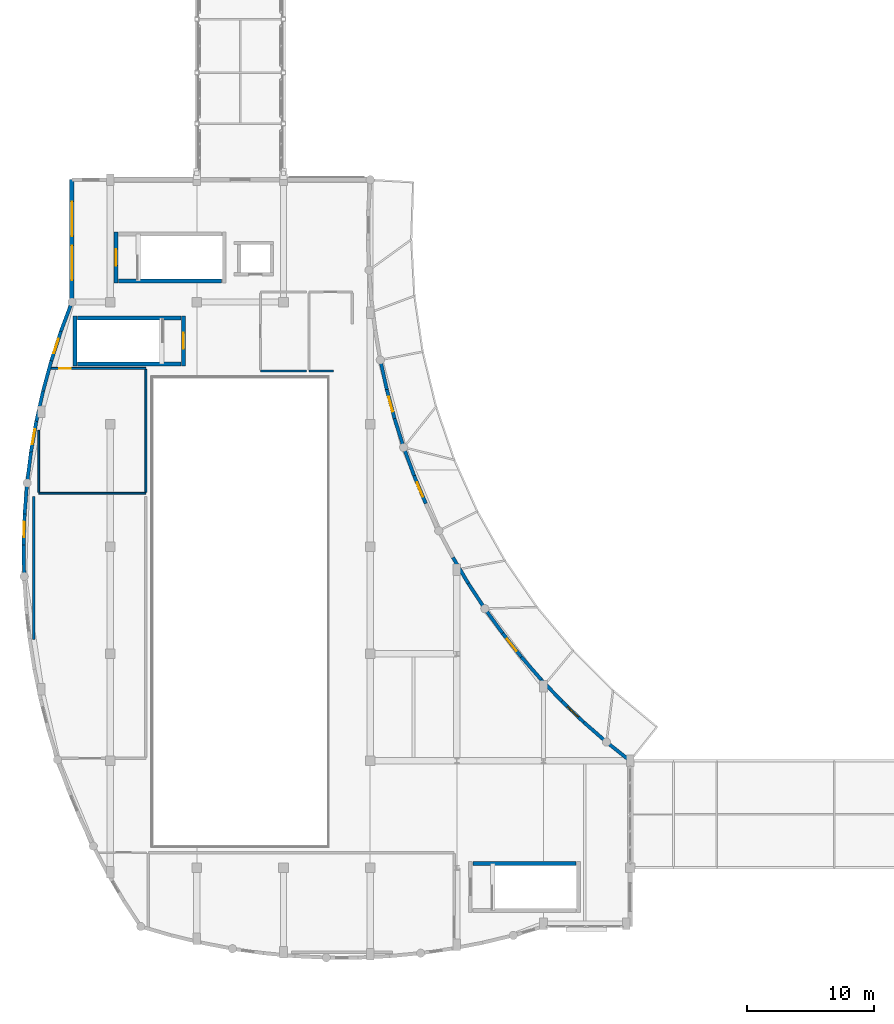
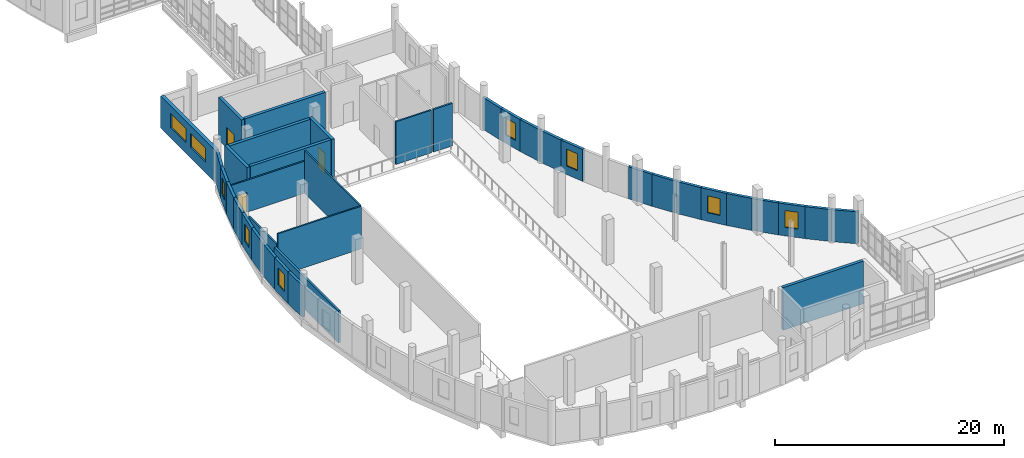
# One storey, part 82 of 106: 38 walls, 9 windows, 3 doors, 12 openings.
"""IFC4 building model written with IfcOpenShell, lengths in metres."""

from ifc_helpers import new_model, si_unit, direction, frame, frame_2d, origin, place, context, subcontext, project, spatial, rectangle, extrude, material, layer, layer_set, type_object, element, fill, save


model = new_model("IFC4")

# Units and contexts
model_context = context("Model", 3, precision=1e-05, world=origin(), true_north=direction((0.0, 1.0)))
body_context = subcontext(model_context, "Body", "Model", "MODEL_VIEW")
ifc_project = project(units=[si_unit("LENGTHUNIT", "METRE"), si_unit("AREAUNIT", "SQUARE_METRE"), si_unit("VOLUMEUNIT", "CUBIC_METRE"), si_unit("PLANEANGLEUNIT", "RADIAN"), si_unit("MASSUNIT", "GRAM", prefix="KILO")], contexts=[model_context])

# Site, building, storey
site_placement = place(None, origin())
site = spatial("IfcSite", under=ifc_project, at=site_placement, CompositionType="ELEMENT")
building_placement = place(site_placement, origin())
building = spatial("IfcBuilding", under=site, at=building_placement, Name="Kisaragi Civic Commons", CompositionType="ELEMENT")
storey_placement = place(building_placement, frame((0.0, 0.0, 4.800048828125)))
storey = spatial("IfcBuildingStorey", under=building, at=storey_placement, Name="L01", CompositionType="ELEMENT", Elevation=4.800048828125)

# Wall, openings, windows
ifc_material_1 = material(Name="Insulated Tokoname terracotta cavity wall", Category="masonry")
ifc_layer_1 = layer(ifc_material_1, 0.35009765625, Name="Insulated Tokoname terracotta cavity wall", Category="masonry")
ifc_layer_set_1 = layer_set([ifc_layer_1], Name="Insulated Tokoname terracotta cavity wall")
wall_type_1 = type_object("IfcWallType", Name="EW-02", PredefinedType="STANDARD", material=ifc_layer_set_1)
wall_1_placement = place(storey_placement, frame((3.800048828125, 52.800048828125, 0.0), z_axis=(0.0, 0.0, 1.0), x_axis=(0.0, 1.0, 0.0)))
wall_1 = element("IfcWall", 1, at=wall_1_placement, inside=storey, type_object=wall_type_1, Name="V1 L01 exterior terracotta wall EW-02 122", PredefinedType="STANDARD", context=body_context, shape_type="SweptSolid", body=[
    extrude(rectangle(XDim=9.599853515625, YDim=0.35009765625, at=frame_2d((4.7998046875, 0.0))), origin(), (0.0, 0.0, 1.0), 3.405029296875),
])
opening_1_placement = place(wall_1_placement, frame((1.721923828125, 0.0, 1.10009765625)))
opening_1 = element("IfcOpeningElement", 2, at=opening_1_placement, cuts=wall_1, Name="Opening W-07", PredefinedType="OPENING", context=body_context, shape_type="SweptSolid", body=[
    extrude(rectangle(XDim=2.699951171875, YDim=1.5, at=frame_2d((1.35009765625, 0.75))), frame((0.0, 0.18505859375, 0.0), z_axis=(0.0, -1.0, 0.0), x_axis=(1.0, 0.0, 0.0)), (0.0, 0.0, 1.0), 0.3701171875),
])
opening_2_placement = place(wall_1_placement, frame((5.177978515625, 0.0, 1.10009765625)))
opening_2 = element("IfcOpeningElement", 3, at=opening_2_placement, cuts=wall_1, Name="Opening W-07", PredefinedType="OPENING", context=body_context, shape_type="SweptSolid", body=[
    extrude(rectangle(XDim=2.699951171875, YDim=1.5, at=frame_2d((1.35009765625, 0.75))), frame((0.0, 0.18505859375, 0.0), z_axis=(0.0, -1.0, 0.0), x_axis=(1.0, 0.0, 0.0)), (0.0, 0.0, 1.0), 0.3701171875),
])
ifc_material_2 = material(Name="Thermally broken aluminium frame and low-E argon double glazing", Category="aluminium")
window_type_1 = type_object("IfcWindowType", Name="W-07", PartitioningType="SINGLE_PANEL", PredefinedType="WINDOW", material=ifc_material_2)
window_1_placement = place(opening_1_placement, origin())
window_1 = element("IfcWindow", 4, at=window_1_placement, inside=storey, type_object=window_type_1, Name="V1 L01 window W-07 36", OverallHeight=1.5, OverallWidth=2.699951171875, PartitioningType="SINGLE_PANEL", PredefinedType="WINDOW", context=body_context, shape_type="SweptSolid", body=[
    extrude(rectangle(XDim=2.699951171875, YDim=1.5, at=frame_2d((1.35009765625, 0.75))), frame((0.0, 0.030029296875, 0.0), z_axis=(0.0, -1.0, 0.0), x_axis=(1.0, 0.0, 0.0)), (0.0, 0.0, 1.0), 0.06005859375),
])
fill(opening_1, window_1)
window_2_placement = place(opening_2_placement, origin())
window_2 = element("IfcWindow", 5, at=window_2_placement, inside=storey, type_object=window_type_1, Name="V1 L01 window W-07 37", OverallHeight=1.5, OverallWidth=2.699951171875, PartitioningType="SINGLE_PANEL", PredefinedType="WINDOW", context=body_context, shape_type="SweptSolid", body=[
    extrude(rectangle(XDim=2.699951171875, YDim=1.5, at=frame_2d((1.35009765625, 0.75))), frame((0.0, 0.030029296875, 0.0), z_axis=(0.0, -1.0, 0.0), x_axis=(1.0, 0.0, 0.0)), (0.0, 0.0, 1.0), 0.06005859375),
])
fill(opening_2, window_2)

# Wall
ifc_layer_2 = layer(ifc_material_1, 0.26806640625, Name="Insulated Tokoname terracotta cavity wall", Category="masonry")
ifc_layer_set_2 = layer_set([ifc_layer_2], Name="Insulated Tokoname terracotta cavity wall")
wall_type_2 = type_object("IfcWallType", Name="EW-04", PredefinedType="STANDARD", material=ifc_layer_set_2)
wall_2_placement = place(storey_placement, frame((27.996826171875, 48.25537109375, 0.0), z_axis=(0.0, 0.0, 1.0), x_axis=(0.214004297627, -0.97683271884, 0.0)))
element("IfcWall", 6, at=wall_2_placement, inside=storey, type_object=wall_type_2, Name="V1 L01 exterior terracotta wall EW-04 71", PredefinedType="STANDARD", context=body_context, shape_type="SweptSolid", body=[
    extrude(rectangle(XDim=2.368408203125, YDim=0.26806640625, at=frame_2d((1.18408203125, 0.0))), origin(), (0.0, 0.0, 1.0), 3.405029296875),
])

# Wall, opening, window
wall_3_placement = place(storey_placement, frame((28.503662109375, 45.94189453125, 0.0), z_axis=(0.0, 0.0, 1.0), x_axis=(0.258316996005, -0.966060210119, 0.0)))
wall_3 = element("IfcWall", 7, at=wall_3_placement, inside=storey, type_object=wall_type_2, Name="V1 L01 exterior terracotta wall EW-04 72", PredefinedType="STANDARD", context=body_context, shape_type="SweptSolid", body=[
    extrude(rectangle(XDim=2.368408203125, YDim=0.26806640625, at=frame_2d((1.18408203125, 0.0))), origin(), (0.0, 0.0, 1.0), 3.405029296875),
])
opening_3_placement = place(wall_3_placement, frame((0.584228515625, 0.0, 0.89990234375)))
opening_3 = element("IfcOpeningElement", 8, at=opening_3_placement, cuts=wall_3, Name="Opening W-05", PredefinedType="OPENING", context=body_context, shape_type="SweptSolid", body=[
    extrude(rectangle(XDim=1.199951171875, YDim=1.800048828125, at=frame_2d((0.60009765625, 0.89990234375))), frame((0.0, 0.14404296875, 0.0), z_axis=(0.0, -1.0, 0.0), x_axis=(1.0, 0.0, 0.0)), (0.0, 0.0, 1.0), 0.2880859375),
])
window_type_2 = type_object("IfcWindowType", Name="W-05", PartitioningType="SINGLE_PANEL", PredefinedType="WINDOW", material=ifc_material_2)
window_3_placement = place(opening_3_placement, origin())
window_3 = element("IfcWindow", 9, at=window_3_placement, inside=storey, type_object=window_type_2, Name="V1 L01 window W-05 20", OverallHeight=1.800048828125, OverallWidth=1.199951171875, PartitioningType="SINGLE_PANEL", PredefinedType="WINDOW", context=body_context, shape_type="SweptSolid", body=[
    extrude(rectangle(XDim=1.199951171875, YDim=1.800048828125, at=frame_2d((0.60009765625, 0.89990234375))), frame((0.0, 0.030029296875, 0.0), z_axis=(0.0, -1.0, 0.0), x_axis=(1.0, 0.0, 0.0)), (0.0, 0.0, 1.0), 0.06005859375),
])
fill(opening_3, window_3)

# Walls
for number, where, z_axis, x_axis, name in (
    (10, (29.115478515625, 43.65380859375, 0.0), (0.0, 0.0, 1.0), (0.301935426288, -0.953328379076, 0.0), "V1 L01 exterior terracotta wall EW-04 73"),
    (11, (29.83056640625, 41.39599609375, 0.0), (0.0, 0.0, 1.0), (0.345117725034, -0.938559404549, 0.0), "V1 L01 exterior terracotta wall EW-04 74"),
):
    element("IfcWall", number, at=place(storey_placement, frame(where, z_axis=z_axis, x_axis=x_axis)), inside=storey, type_object=wall_type_2, Name=name, PredefinedType="STANDARD", context=body_context, shape_type="SweptSolid", body=[
        extrude(rectangle(XDim=2.368408203125, YDim=0.26806640625, at=frame_2d((1.18408203125, 0.0))), origin(), (0.0, 0.0, 1.0), 3.405029296875),
    ])

# Wall, opening, window
wall_4_placement = place(storey_placement, frame((30.64794921875, 39.173095703125, 0.0), z_axis=(0.0, 0.0, 1.0), x_axis=(0.387526916132, -0.921858388948, 0.0)))
wall_4 = element("IfcWall", 12, at=wall_4_placement, inside=storey, type_object=wall_type_2, Name="V1 L01 exterior terracotta wall EW-04 75", PredefinedType="STANDARD", context=body_context, shape_type="SweptSolid", body=[
    extrude(rectangle(XDim=2.3681640625, YDim=0.26806640625, at=frame_2d((1.18408203125, 0.0))), origin(), (0.0, 0.0, 1.0), 3.405029296875),
])
opening_4_placement = place(wall_4_placement, frame((0.584228515625, 0.0, 0.89990234375)))
opening_4 = element("IfcOpeningElement", 13, at=opening_4_placement, cuts=wall_4, Name="Opening W-05", PredefinedType="OPENING", context=body_context, shape_type="SweptSolid", body=[
    extrude(rectangle(XDim=1.199951171875, YDim=1.800048828125, at=frame_2d((0.60009765625, 0.89990234375))), frame((0.0, 0.14404296875, 0.0), z_axis=(0.0, -1.0, 0.0), x_axis=(1.0, 0.0, 0.0)), (0.0, 0.0, 1.0), 0.2880859375),
])
window_4_placement = place(opening_4_placement, origin())
window_4 = element("IfcWindow", 14, at=window_4_placement, inside=storey, type_object=window_type_2, Name="V1 L01 window W-05 21", OverallHeight=1.800048828125, OverallWidth=1.199951171875, PartitioningType="SINGLE_PANEL", PredefinedType="WINDOW", context=body_context, shape_type="SweptSolid", body=[
    extrude(rectangle(XDim=1.199951171875, YDim=1.800048828125, at=frame_2d((0.60009765625, 0.89990234375))), frame((0.0, 0.030029296875, 0.0), z_axis=(0.0, -1.0, 0.0), x_axis=(1.0, 0.0, 0.0)), (0.0, 0.0, 1.0), 0.06005859375),
])
fill(opening_4, window_4)

# Walls
wall_5_placement = place(storey_placement, frame((33.694091796875, 32.759765625, 0.0), z_axis=(0.0, 0.0, 1.0), x_axis=(0.509423716395, -0.860515820409, 0.0)))
element("IfcWall", 15, at=wall_5_placement, inside=storey, type_object=wall_type_2, Name="V1 L01 exterior terracotta wall EW-04 78", PredefinedType="STANDARD", context=body_context, shape_type="SweptSolid", body=[
    extrude(rectangle(XDim=2.368408203125, YDim=0.26806640625, at=frame_2d((1.18408203125, 0.0))), origin(), (0.0, 0.0, 1.0), 3.405029296875),
])
wall_6_placement = place(storey_placement, frame((34.900634765625, 30.7216796875, 0.0), z_axis=(0.0, 0.0, 1.0), x_axis=(0.54814066554, -0.83638616128, 0.0)))
element("IfcWall", 16, at=wall_6_placement, inside=storey, type_object=wall_type_2, Name="V1 L01 exterior terracotta wall EW-04 79", PredefinedType="STANDARD", context=body_context, shape_type="SweptSolid", body=[
    extrude(rectangle(XDim=2.3681640625, YDim=0.26806640625, at=frame_2d((1.18408203125, 0.0))), origin(), (0.0, 0.0, 1.0), 3.405029296875),
])
wall_7_placement = place(storey_placement, frame((36.19873046875, 28.740966796875, 0.0), z_axis=(0.0, 0.0, 1.0), x_axis=(0.585588400882, -0.810608552109, 0.0)))
element("IfcWall", 17, at=wall_7_placement, inside=storey, type_object=wall_type_2, Name="V1 L01 exterior terracotta wall EW-04 80", PredefinedType="STANDARD", context=body_context, shape_type="SweptSolid", body=[
    extrude(rectangle(XDim=2.368408203125, YDim=0.26806640625, at=frame_2d((1.18408203125, 0.0))), origin(), (0.0, 0.0, 1.0), 3.405029296875),
])

# Wall, opening, window
wall_8_placement = place(storey_placement, frame((37.585693359375, 26.821044921875, 0.0), z_axis=(0.0, 0.0, 1.0), x_axis=(0.621937925109, -0.783066547179, 0.0)))
wall_8 = element("IfcWall", 18, at=wall_8_placement, inside=storey, type_object=wall_type_2, Name="V1 L01 exterior terracotta wall EW-04 81", PredefinedType="STANDARD", context=body_context, shape_type="SweptSolid", body=[
    extrude(rectangle(XDim=2.3681640625, YDim=0.26806640625, at=frame_2d((1.18408203125, 0.0))), origin(), (0.0, 0.0, 1.0), 3.405029296875),
])
opening_5_placement = place(wall_8_placement, frame((0.584228515625, 0.0, 0.89990234375)))
opening_5 = element("IfcOpeningElement", 19, at=opening_5_placement, cuts=wall_8, Name="Opening W-05", PredefinedType="OPENING", context=body_context, shape_type="SweptSolid", body=[
    extrude(rectangle(XDim=1.199951171875, YDim=1.800048828125, at=frame_2d((0.60009765625, 0.89990234375))), frame((0.0, 0.14404296875, 0.0), z_axis=(0.0, -1.0, 0.0), x_axis=(1.0, 0.0, 0.0)), (0.0, 0.0, 1.0), 0.2880859375),
])
window_5_placement = place(opening_5_placement, origin())
window_5 = element("IfcWindow", 20, at=window_5_placement, inside=storey, type_object=window_type_2, Name="V1 L01 window W-05 22", OverallHeight=1.800048828125, OverallWidth=1.199951171875, PartitioningType="SINGLE_PANEL", PredefinedType="WINDOW", context=body_context, shape_type="SweptSolid", body=[
    extrude(rectangle(XDim=1.199951171875, YDim=1.800048828125, at=frame_2d((0.60009765625, 0.89990234375))), frame((0.0, 0.030029296875, 0.0), z_axis=(0.0, -1.0, 0.0), x_axis=(1.0, 0.0, 0.0)), (0.0, 0.0, 1.0), 0.06005859375),
])
fill(opening_5, window_5)

# Walls
for number, where, z_axis, x_axis, name in (
    (21, (39.05859375, 24.966552734375, 0.0), (0.0, 0.0, 1.0), (0.65694145238, -0.753941594651, 0.0), "V1 L01 exterior terracotta wall EW-04 82"),
    (22, (40.614501953125, 23.180908203125, 0.0), (0.0, 0.0, 1.0), (0.690578715077, -0.723257242123, 0.0), "V1 L01 exterior terracotta wall EW-04 83"),
):
    element("IfcWall", number, at=place(storey_placement, frame(where, z_axis=z_axis, x_axis=x_axis)), inside=storey, type_object=wall_type_2, Name=name, PredefinedType="STANDARD", context=body_context, shape_type="SweptSolid", body=[
        extrude(rectangle(XDim=2.368408203125, YDim=0.26806640625, at=frame_2d((1.18408203125, 0.0))), origin(), (0.0, 0.0, 1.0), 3.405029296875),
    ])

# Wall, opening, window
wall_9_placement = place(storey_placement, frame((42.25, 21.468017578125, 0.0), z_axis=(0.0, 0.0, 1.0), x_axis=(0.722803022189, -0.691054115909, 0.0)))
wall_9 = element("IfcWall", 23, at=wall_9_placement, inside=storey, type_object=wall_type_2, Name="V1 L01 exterior terracotta wall EW-04 84", PredefinedType="STANDARD", context=body_context, shape_type="SweptSolid", body=[
    extrude(rectangle(XDim=2.368408203125, YDim=0.26806640625, at=frame_2d((1.18408203125, 0.0))), origin(), (0.0, 0.0, 1.0), 3.405029296875),
])
opening_6_placement = place(wall_9_placement, frame((0.584228515625, 0.0, 0.89990234375)))
opening_6 = element("IfcOpeningElement", 24, at=opening_6_placement, cuts=wall_9, Name="Opening W-05", PredefinedType="OPENING", context=body_context, shape_type="SweptSolid", body=[
    extrude(rectangle(XDim=1.199951171875, YDim=1.800048828125, at=frame_2d((0.60009765625, 0.89990234375))), frame((0.0, 0.14404296875, 0.0), z_axis=(0.0, -1.0, 0.0), x_axis=(1.0, 0.0, 0.0)), (0.0, 0.0, 1.0), 0.2880859375),
])
window_6_placement = place(opening_6_placement, origin())
window_6 = element("IfcWindow", 25, at=window_6_placement, inside=storey, type_object=window_type_2, Name="V1 L01 window W-05 23", OverallHeight=1.800048828125, OverallWidth=1.199951171875, PartitioningType="SINGLE_PANEL", PredefinedType="WINDOW", context=body_context, shape_type="SweptSolid", body=[
    extrude(rectangle(XDim=1.199951171875, YDim=1.800048828125, at=frame_2d((0.60009765625, 0.89990234375))), frame((0.0, 0.030029296875, 0.0), z_axis=(0.0, -1.0, 0.0), x_axis=(1.0, 0.0, 0.0)), (0.0, 0.0, 1.0), 0.06005859375),
])
fill(opening_6, window_6)

# Walls
for number, where, z_axis, x_axis, name in (
    (26, (43.9619140625, 19.831298828125, 0.0), (0.0, 0.0, 1.0), (0.753463654821, -0.657489559509, 0.0), "V1 L01 exterior terracotta wall EW-04 85"),
    (27, (45.746337890625, 18.274169921875, 0.0), (0.0, 0.0, 1.0), (0.782695778101, -0.622404465715, 0.0), "V1 L01 exterior terracotta wall EW-04 86"),
):
    element("IfcWall", number, at=place(storey_placement, frame(where, z_axis=z_axis, x_axis=x_axis)), inside=storey, type_object=wall_type_2, Name=name, PredefinedType="STANDARD", context=body_context, shape_type="SweptSolid", body=[
        extrude(rectangle(XDim=2.368408203125, YDim=0.26806640625, at=frame_2d((1.18408203125, 0.0))), origin(), (0.0, 0.0, 1.0), 3.405029296875),
    ])
wall_10_placement = place(storey_placement, frame((0.051513671875, 31.277099609375, 0.0), z_axis=(0.0, 0.0, 1.0), x_axis=(-0.015674559362, 0.999877146548, 0.0)))
element("IfcWall", 28, at=wall_10_placement, inside=storey, type_object=wall_type_2, Name="V1 L01 exterior terracotta wall EW-04 113", PredefinedType="STANDARD", context=body_context, shape_type="SweptSolid", body=[
    extrude(rectangle(XDim=2.4453125, YDim=0.26806640625, at=frame_2d((1.22265625, 0.0))), origin(), (0.0, 0.0, 1.0), 3.405029296875),
])

# Wall, opening, window
wall_11_placement = place(storey_placement, frame((0.01318359375, 33.72216796875, 0.0), z_axis=(0.0, 0.0, 1.0), x_axis=(0.031346952552, 0.999508563528, 0.0)))
wall_11 = element("IfcWall", 29, at=wall_11_placement, inside=storey, type_object=wall_type_2, Name="V1 L01 exterior terracotta wall EW-04 114", PredefinedType="STANDARD", context=body_context, shape_type="SweptSolid", body=[
    extrude(rectangle(XDim=2.445556640625, YDim=0.26806640625, at=frame_2d((1.22265625, 0.0))), origin(), (0.0, 0.0, 1.0), 3.405029296875),
])
opening_7_placement = place(wall_11_placement, frame((0.622802734375, 0.0, 0.89990234375)))
opening_7 = element("IfcOpeningElement", 30, at=opening_7_placement, cuts=wall_11, Name="Opening W-05", PredefinedType="OPENING", context=body_context, shape_type="SweptSolid", body=[
    extrude(rectangle(XDim=1.199951171875, YDim=1.800048828125, at=frame_2d((0.60009765625, 0.89990234375))), frame((0.0, 0.14404296875, 0.0), z_axis=(0.0, -1.0, 0.0), x_axis=(1.0, 0.0, 0.0)), (0.0, 0.0, 1.0), 0.2880859375),
])
window_7_placement = place(opening_7_placement, origin())
window_7 = element("IfcWindow", 31, at=window_7_placement, inside=storey, type_object=window_type_2, Name="V1 L01 window W-05 33", OverallHeight=1.800048828125, OverallWidth=1.199951171875, PartitioningType="SINGLE_PANEL", PredefinedType="WINDOW", context=body_context, shape_type="SweptSolid", body=[
    extrude(rectangle(XDim=1.199951171875, YDim=1.800048828125, at=frame_2d((0.60009765625, 0.89990234375))), frame((0.0, 0.030029296875, 0.0), z_axis=(0.0, -1.0, 0.0), x_axis=(1.0, 0.0, 0.0)), (0.0, 0.0, 1.0), 0.06005859375),
])
fill(opening_7, window_7)

# Walls
wall_12_placement = place(storey_placement, frame((0.08984375, 36.16650390625, 0.0), z_axis=(0.0, 0.0, 1.0), x_axis=(0.078276857386, 0.996931659442, 0.0)))
element("IfcWall", 32, at=wall_12_placement, inside=storey, type_object=wall_type_2, Name="V1 L01 exterior terracotta wall EW-04 115", PredefinedType="STANDARD", context=body_context, shape_type="SweptSolid", body=[
    extrude(rectangle(XDim=2.4453125, YDim=0.26806640625, at=frame_2d((1.22265625, 0.0))), origin(), (0.0, 0.0, 1.0), 3.405029296875),
])
wall_13_placement = place(storey_placement, frame((0.28125, 38.604248046875, 0.0), z_axis=(0.0, 0.0, 1.0), x_axis=(0.125091363355, 0.992145226675, 0.0)))
element("IfcWall", 33, at=wall_13_placement, inside=storey, type_object=wall_type_2, Name="V1 L01 exterior terracotta wall EW-04 116", PredefinedType="STANDARD", context=body_context, shape_type="SweptSolid", body=[
    extrude(rectangle(XDim=2.445556640625, YDim=0.26806640625, at=frame_2d((1.22265625, 0.0))), origin(), (0.0, 0.0, 1.0), 3.405029296875),
])

# Wall, opening, window
wall_14_placement = place(storey_placement, frame((0.587158203125, 41.030517578125, 0.0), z_axis=(0.0, 0.0, 1.0), x_axis=(0.171518128885, 0.985180963815, 0.0)))
wall_14 = element("IfcWall", 34, at=wall_14_placement, inside=storey, type_object=wall_type_2, Name="V1 L01 exterior terracotta wall EW-04 117", PredefinedType="STANDARD", context=body_context, shape_type="SweptSolid", body=[
    extrude(rectangle(XDim=2.4453125, YDim=0.26806640625, at=frame_2d((1.22265625, 0.0))), origin(), (0.0, 0.0, 1.0), 3.405029296875),
])
opening_8_placement = place(wall_14_placement, frame((0.622802734375, 0.0, 0.89990234375)))
opening_8 = element("IfcOpeningElement", 35, at=opening_8_placement, cuts=wall_14, Name="Opening W-05", PredefinedType="OPENING", context=body_context, shape_type="SweptSolid", body=[
    extrude(rectangle(XDim=1.199951171875, YDim=1.800048828125, at=frame_2d((0.60009765625, 0.89990234375))), frame((0.0, 0.14404296875, 0.0), z_axis=(0.0, -1.0, 0.0), x_axis=(1.0, 0.0, 0.0)), (0.0, 0.0, 1.0), 0.2880859375),
])
window_8_placement = place(opening_8_placement, origin())
window_8 = element("IfcWindow", 36, at=window_8_placement, inside=storey, type_object=window_type_2, Name="V1 L01 window W-05 34", OverallHeight=1.800048828125, OverallWidth=1.199951171875, PartitioningType="SINGLE_PANEL", PredefinedType="WINDOW", context=body_context, shape_type="SweptSolid", body=[
    extrude(rectangle(XDim=1.199951171875, YDim=1.800048828125, at=frame_2d((0.60009765625, 0.89990234375))), frame((0.0, 0.030029296875, 0.0), z_axis=(0.0, -1.0, 0.0), x_axis=(1.0, 0.0, 0.0)), (0.0, 0.0, 1.0), 0.06005859375),
])
fill(opening_8, window_8)

# Walls
wall_15_placement = place(storey_placement, frame((1.006591796875, 43.439697265625, 0.0), z_axis=(0.0, 0.0, 1.0), x_axis=(0.217744347035, 0.976005839805, 0.0)))
element("IfcWall", 37, at=wall_15_placement, inside=storey, type_object=wall_type_2, Name="V1 L01 exterior terracotta wall EW-04 118", PredefinedType="STANDARD", context=body_context, shape_type="SweptSolid", body=[
    extrude(rectangle(XDim=2.4453125, YDim=0.26806640625, at=frame_2d((1.22265625, 0.0))), origin(), (0.0, 0.0, 1.0), 3.405029296875),
])
wall_16_placement = place(storey_placement, frame((1.5390625, 45.826416015625, 0.0), z_axis=(0.0, 0.0, 1.0), x_axis=(0.26336237485, 0.964696978078, 0.0)))
element("IfcWall", 38, at=wall_16_placement, inside=storey, type_object=wall_type_2, Name="V1 L01 exterior terracotta wall EW-04 119", PredefinedType="STANDARD", context=body_context, shape_type="SweptSolid", body=[
    extrude(rectangle(XDim=2.445556640625, YDim=0.26806640625, at=frame_2d((1.22265625, 0.0))), origin(), (0.0, 0.0, 1.0), 3.405029296875),
])

# Wall, opening, window
wall_17_placement = place(storey_placement, frame((2.18310546875, 48.185546875, 0.0), z_axis=(0.0, 0.0, 1.0), x_axis=(0.308399711146, 0.951256862349, 0.0)))
wall_17 = element("IfcWall", 39, at=wall_17_placement, inside=storey, type_object=wall_type_2, Name="V1 L01 exterior terracotta wall EW-04 120", PredefinedType="STANDARD", context=body_context, shape_type="SweptSolid", body=[
    extrude(rectangle(XDim=2.4453125, YDim=0.26806640625, at=frame_2d((1.22265625, 0.0))), origin(), (0.0, 0.0, 1.0), 3.405029296875),
])
opening_9_placement = place(wall_17_placement, frame((0.622802734375, 0.0, 0.89990234375)))
opening_9 = element("IfcOpeningElement", 40, at=opening_9_placement, cuts=wall_17, Name="Opening W-05", PredefinedType="OPENING", context=body_context, shape_type="SweptSolid", body=[
    extrude(rectangle(XDim=1.199951171875, YDim=1.800048828125, at=frame_2d((0.60009765625, 0.89990234375))), frame((0.0, 0.14404296875, 0.0), z_axis=(0.0, -1.0, 0.0), x_axis=(1.0, 0.0, 0.0)), (0.0, 0.0, 1.0), 0.2880859375),
])
window_9_placement = place(opening_9_placement, origin())
window_9 = element("IfcWindow", 41, at=window_9_placement, inside=storey, type_object=window_type_2, Name="V1 L01 window W-05 35", OverallHeight=1.800048828125, OverallWidth=1.199951171875, PartitioningType="SINGLE_PANEL", PredefinedType="WINDOW", context=body_context, shape_type="SweptSolid", body=[
    extrude(rectangle(XDim=1.199951171875, YDim=1.800048828125, at=frame_2d((0.60009765625, 0.89990234375))), frame((0.0, 0.030029296875, 0.0), z_axis=(0.0, -1.0, 0.0), x_axis=(1.0, 0.0, 0.0)), (0.0, 0.0, 1.0), 0.06005859375),
])
fill(opening_9, window_9)

# Walls
wall_18_placement = place(storey_placement, frame((2.937255859375, 50.51171875, 0.0), z_axis=(0.0, 0.0, 1.0), x_axis=(0.352796730639, 0.93569998763, 0.0)))
element("IfcWall", 42, at=wall_18_placement, inside=storey, type_object=wall_type_2, Name="V1 L01 exterior terracotta wall EW-04 121", PredefinedType="STANDARD", context=body_context, shape_type="SweptSolid", body=[
    extrude(rectangle(XDim=2.445556640625, YDim=0.26806640625, at=frame_2d((1.22265625, 0.0))), origin(), (0.0, 0.0, 1.0), 3.405029296875),
])
ifc_material_3 = material(Name="Acoustic gypsum board on light-gauge steel studs", Category="steel")
ifc_layer_3 = layer(ifc_material_3, 0.14990234375, Name="Acoustic gypsum board on light-gauge steel studs", Category="steel")
ifc_layer_set_3 = layer_set([ifc_layer_3], Name="Acoustic gypsum board on light-gauge steel studs")
wall_type_3 = type_object("IfcWallType", Name="IW-01", PredefinedType="STANDARD", material=ifc_layer_set_3)
wall_19_placement = place(storey_placement, frame((1.199951171875, 37.875, 0.0), z_axis=(0.0, 0.0, 1.0), x_axis=(0.0, 1.0, 0.0)))
element("IfcWall", 43, at=wall_19_placement, inside=storey, type_object=wall_type_3, Name="L01 M1-11 partition IW-01 197", PredefinedType="STANDARD", context=body_context, shape_type="SweptSolid", body=[
    extrude(rectangle(XDim=4.85107421875, YDim=0.14990234375, at=frame_2d((2.425537109375, 0.0))), origin(), (0.0, 0.0, 1.0), 3.405029296875),
])

# Wall, opening, door
wall_20_placement = place(storey_placement, frame((2.165283203125, 47.60009765625, 0.0), z_axis=(0.0, 0.0, 1.0), x_axis=(1.0, 0.0, 0.0)))
wall_20 = element("IfcWall", 44, at=wall_20_placement, inside=storey, type_object=wall_type_3, Name="L01 M1-11 partition IW-01 198", PredefinedType="STANDARD", context=body_context, shape_type="SweptSolid", body=[
    extrude(rectangle(XDim=7.4296875, YDim=0.14990234375, at=frame_2d((3.71484375, 0.0))), origin(), (0.0, 0.0, 1.0), 3.405029296875),
])
opening_10_placement = place(wall_20_placement, frame((0.653076171875, 0.0, 0.0)))
opening_10 = element("IfcOpeningElement", 45, at=opening_10_placement, cuts=wall_20, Name="Opening ID-02", PredefinedType="OPENING", context=body_context, shape_type="SweptSolid", body=[
    extrude(rectangle(XDim=0.89990234375, YDim=2.10009765625, at=frame_2d((0.449951171875, 1.050048828125))), frame((0.0, 0.0849609375, 0.0), z_axis=(0.0, -1.0, 0.0), x_axis=(1.0, 0.0, 0.0)), (0.0, 0.0, 1.0), 0.169921875),
])
ifc_material_4 = material(Name="Solid-core Japanese ash acoustic flush timber leaf in steel frame", Category="steel")
door_type_1 = type_object("IfcDoorType", Name="ID-02", OperationType="NOTDEFINED", PredefinedType="DOOR", material=ifc_material_4)
door_1_placement = place(opening_10_placement, origin())
door_1 = element("IfcDoor", 46, at=door_1_placement, inside=storey, type_object=door_type_1, Name="Stage Lighting and Sound Studio door ID-02", OperationType="SINGLE_SWING_RIGHT", OverallHeight=2.10009765625, OverallWidth=0.89990234375, PredefinedType="DOOR", context=body_context, shape_type="SweptSolid", body=[
    extrude(rectangle(XDim=0.89990234375, YDim=2.10009765625, at=frame_2d((0.449951171875, 1.050048828125))), frame((0.0, 0.02490234375, 0.0), z_axis=(0.0, -1.0, 0.0), x_axis=(1.0, 0.0, 0.0)), (0.0, 0.0, 1.0), 0.050048828125),
])
fill(opening_10, door_1)

# Walls
wall_21_placement = place(storey_placement, frame((9.60009765625, 47.52490234375, 0.0), z_axis=(0.0, 0.0, 1.0), x_axis=(0.0, -1.0, 0.0)))
element("IfcWall", 47, at=wall_21_placement, inside=storey, type_object=wall_type_3, Name="L01 M1-11 partition IW-01 199", PredefinedType="STANDARD", context=body_context, shape_type="SweptSolid", body=[
    extrude(rectangle(XDim=9.64990234375, YDim=0.14990234375, at=frame_2d((4.824951171875, 0.0))), origin(), (0.0, 0.0, 1.0), 4.5400390625),
])
wall_22_placement = place(storey_placement, frame((9.594970703125, 37.800048828125, 0.0), z_axis=(0.0, 0.0, 1.0), x_axis=(-1.0, 0.0, 0.0)))
element("IfcWall", 48, at=wall_22_placement, inside=storey, type_object=wall_type_3, Name="L01 M1-11 partition IW-01 200", PredefinedType="STANDARD", context=body_context, shape_type="SweptSolid", body=[
    extrude(rectangle(XDim=8.389892578125, YDim=0.14990234375, at=frame_2d((4.19482421875, 0.0))), origin(), (0.0, 0.0, 1.0), 4.5400390625),
])
ifc_material_5 = material(Name="Cementitious tile-backer board on galvanized steel studs", Category="steel")
ifc_layer_4 = layer(ifc_material_5, 0.16796875, Name="Cementitious tile-backer board on galvanized steel studs", Category="steel")
ifc_layer_set_4 = layer_set([ifc_layer_4], Name="Cementitious tile-backer board on galvanized steel studs")
wall_type_4 = type_object("IfcWallType", Name="IW-03", PredefinedType="STANDARD", material=ifc_layer_set_4)
wall_23_placement = place(storey_placement, frame((24.31689453125, 47.39990234375, 0.0), z_axis=(0.0, 0.0, 1.0), x_axis=(-1.0, 0.0, 0.0)))
element("IfcWall", 49, at=wall_23_placement, inside=storey, type_object=wall_type_4, Name="L01 M1-07 partition IW-03 219", PredefinedType="STANDARD", context=body_context, shape_type="SweptSolid", body=[
    extrude(rectangle(XDim=1.911865234375, YDim=0.16796875, at=frame_2d((0.9560546875, 0.0))), origin(), (0.0, 0.0, 1.0), 4.5400390625),
])
wall_24_placement = place(storey_placement, frame((22.195068359375, 47.39990234375, 0.0), z_axis=(0.0, 0.0, 1.0), x_axis=(-1.0, 0.0, 0.0)))
element("IfcWall", 50, at=wall_24_placement, inside=storey, type_object=wall_type_4, Name="L01 M1-08 partition IW-03 222", PredefinedType="STANDARD", context=body_context, shape_type="SweptSolid", body=[
    extrude(rectangle(XDim=3.590087890625, YDim=0.16796875, at=frame_2d((1.794921875, 0.0))), origin(), (0.0, 0.0, 1.0), 4.5400390625),
])
ifc_material_6 = material(Name="Slatted Mikawa hinoki acoustic timber partition", Category="wood")
ifc_layer_5 = layer(ifc_material_6, 0.2080078125, Name="Slatted Mikawa hinoki acoustic timber partition", Category="wood")
ifc_layer_set_5 = layer_set([ifc_layer_5], Name="Slatted Mikawa hinoki acoustic timber partition")
wall_type_5 = type_object("IfcWallType", Name="IW-05", PredefinedType="STANDARD", material=ifc_layer_set_5)
wall_25_placement = place(storey_placement, frame((0.800048828125, 26.33154296875, 0.0), z_axis=(0.0, 0.0, 1.0), x_axis=(0.0, 1.0, 0.0)))
element("IfcWall", 51, at=wall_25_placement, inside=storey, type_object=wall_type_5, Name="L01 M1-02 partition IW-05 215", PredefinedType="STANDARD", context=body_context, shape_type="SweptSolid", body=[
    extrude(rectangle(XDim=11.193359375, YDim=0.2080078125, at=frame_2d((5.5966796875, 0.0))), origin(), (0.0, 0.0, 1.0), 3.405029296875),
])

# Wall, opening, door
ifc_material_7 = material(Name="Concrete Fc36", Category="concrete")
ifc_layer_6 = layer(ifc_material_7, 0.300048828125, Name="Concrete Fc36", Category="concrete")
ifc_layer_set_6 = layer_set([ifc_layer_6], Name="Concrete Fc36")
wall_type_6 = type_object("IfcWallType", Name="SW-01", PredefinedType="SHEAR", material=ifc_layer_set_6)
wall_26_placement = place(storey_placement, frame((7.25, 58.300048828125, 0.0), z_axis=(0.0, 0.0, 1.0), x_axis=(0.0, -1.0, 0.0)))
wall_26 = element("IfcWall", 52, at=wall_26_placement, inside=storey, type_object=wall_type_6, Name="ST-M1 L01 entry RC shear wall", PredefinedType="SHEAR", context=body_context, shape_type="SweptSolid", body=[
    extrude(rectangle(XDim=4.0, YDim=0.300048828125, at=frame_2d((2.0, 0.0))), origin(), (0.0, 0.0, 1.0), 4.5400390625),
])
opening_11_placement = place(wall_26_placement, frame((1.35009765625, 0.0, 0.0)))
opening_11 = element("IfcOpeningElement", 53, at=opening_11_placement, cuts=wall_26, Name="Opening SD-02", PredefinedType="OPENING", context=body_context, shape_type="SweptSolid", body=[
    extrude(rectangle(XDim=1.300048828125, YDim=2.199951171875, at=frame_2d((0.64990234375, 1.10009765625))), frame((0.0, 0.159912109375, 0.0), z_axis=(0.0, -1.0, 0.0), x_axis=(1.0, 0.0, 0.0)), (0.0, 0.0, 1.0), 0.320068359375),
])
ifc_material_8 = material(Name="Insulated fire-rated pressed steel door assembly", Category="steel")
door_type_2 = type_object("IfcDoorType", Name="SD-02", OperationType="NOTDEFINED", PredefinedType="DOOR", material=ifc_material_8)
door_2_placement = place(opening_11_placement, origin())
door_2 = element("IfcDoor", 54, at=door_2_placement, inside=storey, type_object=door_type_2, Name="ST-M1 L01 stair fire door 24", OperationType="SINGLE_SWING_RIGHT", OverallHeight=2.199951171875, OverallWidth=1.300048828125, PredefinedType="DOOR", context=body_context, shape_type="SweptSolid", body=[
    extrude(rectangle(XDim=1.300048828125, YDim=2.199951171875, at=frame_2d((0.64990234375, 1.10009765625))), frame((0.0, 0.02490234375, 0.0), z_axis=(0.0, -1.0, 0.0), x_axis=(1.0, 0.0, 0.0)), (0.0, 0.0, 1.0), 0.050048828125),
])
fill(opening_11, door_2)

# Walls
for number, where, z_axis, x_axis, name in (
    (55, (7.449951171875, 54.449951171875, 0.0), (0.0, 0.0, 1.0), (1.0, 0.0, 0.0), "ST-M1 L01 right RC shear wall"),
    (56, (43.35009765625, 8.75, 0.0), (0.0, 0.0, 1.0), (-1.0, 0.0, 0.0), "ST-M2 L01 left RC shear wall"),
):
    element("IfcWall", number, at=place(storey_placement, frame(where, z_axis=z_axis, x_axis=x_axis)), inside=storey, type_object=wall_type_6, Name=name, PredefinedType="SHEAR", context=body_context, shape_type="SweptSolid", body=[
        extrude(rectangle(XDim=8.10009765625, YDim=0.300048828125, at=frame_2d((4.050048828125, 0.0))), origin(), (0.0, 0.0, 1.0), 4.5400390625),
    ])

# Wall, opening, door
wall_27_placement = place(storey_placement, frame((12.550048828125, 47.800048828125, 0.0), z_axis=(0.0, 0.0, 1.0), x_axis=(0.0, 1.0, 0.0)))
wall_27 = element("IfcWall", 57, at=wall_27_placement, inside=storey, type_object=wall_type_6, Name="ST-M3 L01 entry RC shear wall", PredefinedType="SHEAR", context=body_context, shape_type="SweptSolid", body=[
    extrude(rectangle(XDim=3.89990234375, YDim=0.300048828125, at=frame_2d((1.949951171875, 0.0))), origin(), (0.0, 0.0, 1.0), 4.5400390625),
])
opening_12_placement = place(wall_27_placement, frame((1.324951171875, 0.0, 0.0)))
opening_12 = element("IfcOpeningElement", 58, at=opening_12_placement, cuts=wall_27, Name="Opening SD-01", PredefinedType="OPENING", context=body_context, shape_type="SweptSolid", body=[
    extrude(rectangle(XDim=1.25, YDim=2.199951171875, at=frame_2d((0.625, 1.10009765625))), frame((0.0, 0.159912109375, 0.0), z_axis=(0.0, -1.0, 0.0), x_axis=(1.0, 0.0, 0.0)), (0.0, 0.0, 1.0), 0.320068359375),
])
door_type_3 = type_object("IfcDoorType", Name="SD-01", OperationType="NOTDEFINED", PredefinedType="DOOR", material=ifc_material_8)
door_3_placement = place(opening_12_placement, origin())
door_3 = element("IfcDoor", 59, at=door_3_placement, inside=storey, type_object=door_type_3, Name="ST-M3 L01 stair fire door 28", OperationType="SINGLE_SWING_RIGHT", OverallHeight=2.199951171875, OverallWidth=1.25, PredefinedType="DOOR", context=body_context, shape_type="SweptSolid", body=[
    extrude(rectangle(XDim=1.25, YDim=2.199951171875, at=frame_2d((0.625, 1.10009765625))), frame((0.0, 0.02490234375, 0.0), z_axis=(0.0, -1.0, 0.0), x_axis=(1.0, 0.0, 0.0)), (0.0, 0.0, 1.0), 0.050048828125),
])
fill(opening_12, door_3)

# Walls
wall_28_placement = place(storey_placement, frame((12.35009765625, 51.550048828125, 0.0), z_axis=(0.0, 0.0, 1.0), x_axis=(-1.0, 0.0, 0.0)))
element("IfcWall", 60, at=wall_28_placement, inside=storey, type_object=wall_type_6, Name="ST-M3 L01 right RC shear wall", PredefinedType="SHEAR", context=body_context, shape_type="SweptSolid", body=[
    extrude(rectangle(XDim=8.10009765625, YDim=0.300048828125, at=frame_2d((4.050048828125, 0.0))), origin(), (0.0, 0.0, 1.0), 4.5400390625),
])
wall_29_placement = place(storey_placement, frame((4.050048828125, 51.699951171875, 0.0), z_axis=(0.0, 0.0, 1.0), x_axis=(0.0, -1.0, 0.0)))
element("IfcWall", 61, at=wall_29_placement, inside=storey, type_object=wall_type_6, Name="ST-M3 L01 far RC shear wall", PredefinedType="SHEAR", context=body_context, shape_type="SweptSolid", body=[
    extrude(rectangle(XDim=3.89990234375, YDim=0.300048828125, at=frame_2d((1.949951171875, 0.0))), origin(), (0.0, 0.0, 1.0), 4.5400390625),
])
wall_30_placement = place(storey_placement, frame((4.25, 47.949951171875, 0.0), z_axis=(0.0, 0.0, 1.0), x_axis=(1.0, 0.0, 0.0)))
element("IfcWall", 62, at=wall_30_placement, inside=storey, type_object=wall_type_6, Name="ST-M3 L01 left RC shear wall", PredefinedType="SHEAR", context=body_context, shape_type="SweptSolid", body=[
    extrude(rectangle(XDim=8.10009765625, YDim=0.300048828125, at=frame_2d((4.050048828125, 0.0))), origin(), (0.0, 0.0, 1.0), 4.5400390625),
])

save(model, "model.ifc")
